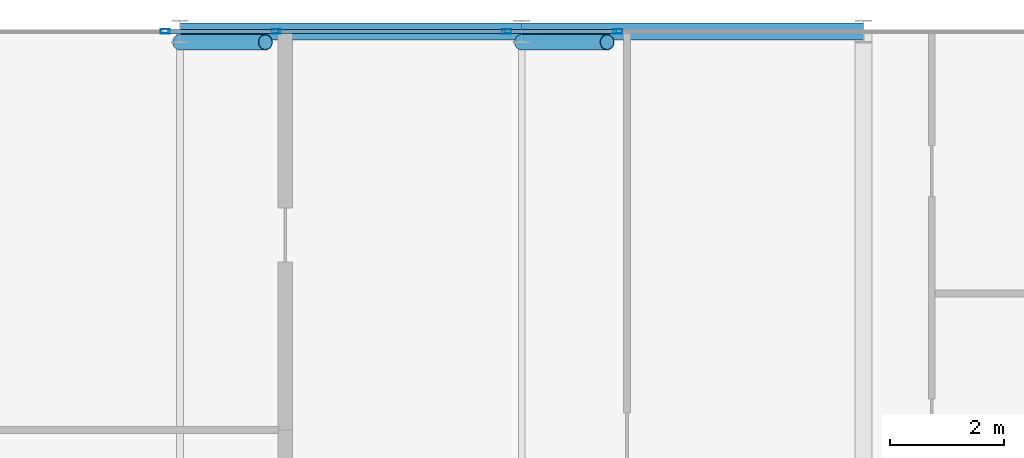
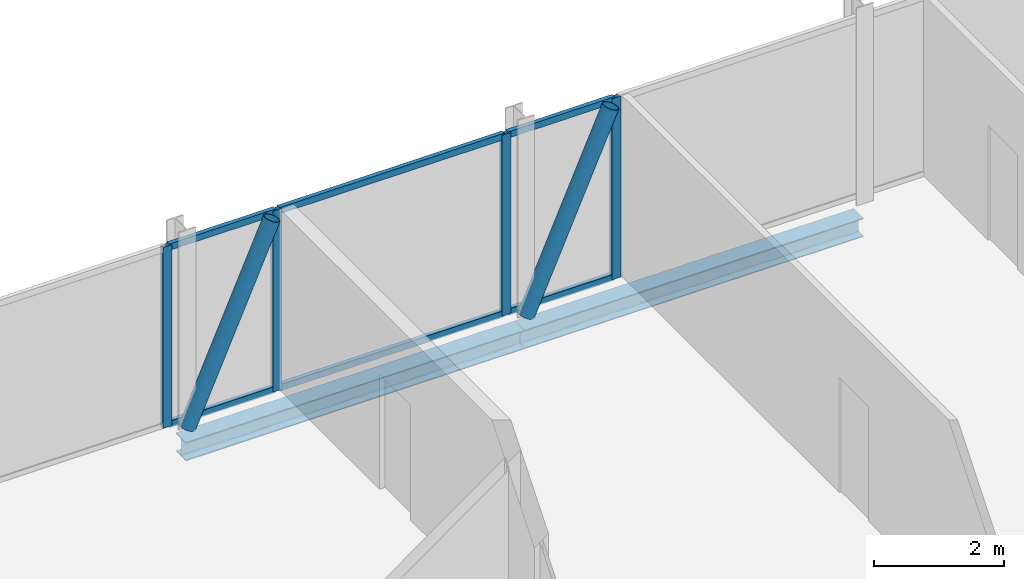
# One storey, part 17 of 27: 12 members, 2 beams, 4 elements without a shape of their own.
"""IFC4 building model written with IfcOpenShell, lengths in metres."""

from ifc_helpers import new_model, si_unit, direction, frame, origin, origin_2d, place, context, subcontext, project, spatial, hollow_rectangle, hollow_circle, i_section, extrude, material, layer, layer_set, material_profile, profile_set, type_object, element, aggregate, save


model = new_model("IFC4")

# Units and contexts
model_context = context("Model", 3, precision=1e-05, world=origin(), true_north=direction((0.0, 1.0)))
body_context = subcontext(model_context, "Body", "Model", "MODEL_VIEW")
ifc_project = project(units=[si_unit("LENGTHUNIT", "METRE"), si_unit("AREAUNIT", "SQUARE_METRE"), si_unit("VOLUMEUNIT", "CUBIC_METRE"), si_unit("PLANEANGLEUNIT", "RADIAN"), si_unit("MASSUNIT", "GRAM", prefix="KILO")], contexts=[model_context])

# Site, building, storey
site_placement = place(None, origin())
site = spatial("IfcSite", under=ifc_project, at=site_placement, CompositionType="ELEMENT")
building_placement = place(site_placement, origin())
building = spatial("IfcBuilding", under=site, at=building_placement, Name="Keshet Zoharim Tower", CompositionType="ELEMENT")
storey_placement = place(building_placement, frame((0.0, 0.0, 254.699951171875)))
storey = spatial("IfcBuildingStorey", under=building, at=storey_placement, Name="L63", CompositionType="ELEMENT", Elevation=254.699951171875)

# Beams
ifc_material_1 = material(Name="Steel S355", Category="steel")
ifc_material_profile_1 = material_profile(ifc_material_1, i_section(OverallWidth=0.300048828125, OverallDepth=0.35009765625, WebThickness=0.010009765625, FlangeThickness=0.017578125, FilletRadius=0.027099609375, at=origin_2d()), Name="HEA360")
ifc_profile_set_1 = profile_set([ifc_material_profile_1], Name="Steel S355")
beam_type = type_object("IfcBeamType", Name="BM-PRI-HA360", PredefinedType="BEAM", material=ifc_profile_set_1)
for number, where, z_axis, x_axis, name in (
    (1, (21.0, 53.89990234375, -0.48486328125), (1.0, 0.0, 0.0), (0.0, 1.0, 0.0), "L63 Primary Girder X-010"),
    (2, (27.0, 53.89990234375, -0.48486328125), (1.0, 0.0, 0.0), (0.0, 1.0, 0.0), "L63 Primary Girder X-011"),
):
    element("IfcBeam", number, at=place(storey_placement, frame(where, z_axis=z_axis, x_axis=x_axis)), inside=storey, type_object=beam_type, Name=name, PredefinedType="BEAM", context=body_context, shape_type="SweptSolid", body=[
        extrude(i_section(OverallWidth=0.300048828125, OverallDepth=0.35009765625, WebThickness=0.010009765625, FlangeThickness=0.017578125, FilletRadius=0.027099609375, at=origin_2d()), origin(), (0.0, 0.0, 1.0), 6.0),
    ])

# Curtain wall, member
ifc_material_2 = material(Name="Aluminium 6063-T6", Category="aluminium")
ifc_layer = layer(ifc_material_2, 0.260009765625)
ifc_layer_set = layer_set([ifc_layer], Name="Aluminium 6063-T6")
curtain_wall_type = type_object("IfcCurtainWallType", Name="CW-SYS-06", PredefinedType="NOTDEFINED", material=ifc_layer_set)
curtain_wall_1_placement = place(storey_placement, origin())
curtain_wall_1 = element("IfcCurtainWall", 3, at=curtain_wall_1_placement, inside=storey, type_object=curtain_wall_type, Name="L63 Unitised Curtain Wall 06", PredefinedType="NOTDEFINED")
ifc_material_profile_2 = material_profile(ifc_material_2, hollow_rectangle(XDim=0.074951171875, YDim=0.159912109375, WallThickness=0.00390625, at=origin_2d()), Name="MUL-75x160")
ifc_profile_set_2 = profile_set([ifc_material_profile_2], Name="Aluminium 6063-T6")
member_type_1 = type_object("IfcMemberType", Name="CWM-M15", PredefinedType="MULLION", material=ifc_profile_set_2)
member_1_placement = place(storey_placement, frame((20.740234375, 53.89990234375, 0.0), z_axis=(0.0, 0.0, 1.0), x_axis=(0.0, 1.0, 0.0)))
member_1 = element("IfcMember", 4, at=member_1_placement, type_object=member_type_1, Name="CW-06 mullion 2", PredefinedType="MULLION", context=body_context, shape_type="SweptSolid", body=[
    extrude(hollow_rectangle(XDim=0.074951171875, YDim=0.159912109375, WallThickness=0.00390625, at=origin_2d()), origin(), (0.0, 0.0, 1.0), 3.39013671875),
])
aggregate(curtain_wall_1, [member_1])

curtain_wall_2_placement = place(storey_placement, origin())
curtain_wall_2 = element("IfcCurtainWall", 5, at=curtain_wall_2_placement, inside=storey, type_object=curtain_wall_type, Name="L63 Unitised Curtain Wall 06 Part 2", PredefinedType="NOTDEFINED")
member_2_placement = place(storey_placement, frame((22.689697265625, 53.89990234375, 0.0), z_axis=(0.0, 0.0, 1.0), x_axis=(0.0, 1.0, 0.0)))
member_2 = element("IfcMember", 6, at=member_2_placement, type_object=member_type_1, Name="CW-06 mullion 2", PredefinedType="MULLION", context=body_context, shape_type="SweptSolid", body=[
    extrude(hollow_rectangle(XDim=0.074951171875, YDim=0.159912109375, WallThickness=0.00390625, at=origin_2d()), origin(), (0.0, 0.0, 1.0), 3.39013671875),
])

curtain_wall_3_placement = place(storey_placement, origin())
curtain_wall_3 = element("IfcCurtainWall", 7, at=curtain_wall_3_placement, inside=storey, type_object=curtain_wall_type, Name="L63 Unitised Curtain Wall 06 Part 3", PredefinedType="NOTDEFINED")
member_3_placement = place(storey_placement, frame((26.740234375, 53.89990234375, 0.0), z_axis=(0.0, 0.0, 1.0), x_axis=(0.0, 1.0, 0.0)))
member_3 = element("IfcMember", 8, at=member_3_placement, type_object=member_type_1, Name="CW-06 mullion 2", PredefinedType="MULLION", context=body_context, shape_type="SweptSolid", body=[
    extrude(hollow_rectangle(XDim=0.074951171875, YDim=0.159912109375, WallThickness=0.00390625, at=origin_2d()), origin(), (0.0, 0.0, 1.0), 3.39013671875),
])

curtain_wall_4_placement = place(storey_placement, origin())
curtain_wall_4 = element("IfcCurtainWall", 9, at=curtain_wall_4_placement, inside=storey, type_object=curtain_wall_type, Name="L63 Unitised Curtain Wall 06 Part 4", PredefinedType="NOTDEFINED")
member_4_placement = place(storey_placement, frame((28.689697265625, 53.89990234375, 0.0), z_axis=(0.0, 0.0, 1.0), x_axis=(0.0, 1.0, 0.0)))
member_4 = element("IfcMember", 10, at=member_4_placement, type_object=member_type_1, Name="CW-06 mullion 2", PredefinedType="MULLION", context=body_context, shape_type="SweptSolid", body=[
    extrude(hollow_rectangle(XDim=0.074951171875, YDim=0.159912109375, WallThickness=0.00390625, at=origin_2d()), origin(), (0.0, 0.0, 1.0), 3.39013671875),
])

# Member
ifc_material_profile_3 = material_profile(ifc_material_2, hollow_rectangle(XDim=0.074951171875, YDim=0.1201171875, WallThickness=0.00390625, at=origin_2d()), Name="TRN-75x120")
ifc_profile_set_3 = profile_set([ifc_material_profile_3], Name="Aluminium 6063-T6")
member_type_2 = type_object("IfcMemberType", Name="CWT-T12", PredefinedType="USERDEFINED", material=ifc_profile_set_3)
member_5_placement = place(storey_placement, frame((20.775146484375, 53.89990234375, 0.03515625), z_axis=(1.0, 0.0, 0.0), x_axis=(0.0, 1.0, 0.0)))
member_5 = element("IfcMember", 11, at=member_5_placement, type_object=member_type_2, Name="CW-06 transom 1.1", ObjectType="TRANSOM", PredefinedType="USERDEFINED", context=body_context, shape_type="SweptSolid", body=[
    extrude(hollow_rectangle(XDim=0.074951171875, YDim=0.1201171875, WallThickness=0.00390625, at=origin_2d()), origin(), (0.0, 0.0, 1.0), 1.879638671875),
])

member_6_placement = place(storey_placement, frame((20.775146484375, 53.89990234375, 3.35498046875), z_axis=(1.0, 0.0, 0.0), x_axis=(0.0, 1.0, 0.0)))
member_6 = element("IfcMember", 12, at=member_6_placement, type_object=member_type_2, Name="CW-06 transom 1.2", ObjectType="TRANSOM", PredefinedType="USERDEFINED", context=body_context, shape_type="SweptSolid", body=[
    extrude(hollow_rectangle(XDim=0.074951171875, YDim=0.1201171875, WallThickness=0.00390625, at=origin_2d()), origin(), (0.0, 0.0, 1.0), 1.879638671875),
])

aggregate(curtain_wall_2, [member_2, member_5, member_6])

member_7_placement = place(storey_placement, frame((22.724853515625, 53.89990234375, 0.03515625), z_axis=(1.0, 0.0, 0.0), x_axis=(0.0, 1.0, 0.0)))
member_7 = element("IfcMember", 13, at=member_7_placement, type_object=member_type_2, Name="CW-06 transom 1.1", ObjectType="TRANSOM", PredefinedType="USERDEFINED", context=body_context, shape_type="SweptSolid", body=[
    extrude(hollow_rectangle(XDim=0.074951171875, YDim=0.1201171875, WallThickness=0.00390625, at=origin_2d()), origin(), (0.0, 0.0, 1.0), 3.980224609375),
])

member_8_placement = place(storey_placement, frame((22.724853515625, 53.89990234375, 3.35498046875), z_axis=(1.0, 0.0, 0.0), x_axis=(0.0, 1.0, 0.0)))
member_8 = element("IfcMember", 14, at=member_8_placement, type_object=member_type_2, Name="CW-06 transom 1.2", ObjectType="TRANSOM", PredefinedType="USERDEFINED", context=body_context, shape_type="SweptSolid", body=[
    extrude(hollow_rectangle(XDim=0.074951171875, YDim=0.1201171875, WallThickness=0.00390625, at=origin_2d()), origin(), (0.0, 0.0, 1.0), 3.980224609375),
])

aggregate(curtain_wall_3, [member_3, member_7, member_8])

member_9_placement = place(storey_placement, frame((26.775146484375, 53.89990234375, 0.03515625), z_axis=(1.0, 0.0, 0.0), x_axis=(0.0, 1.0, 0.0)))
member_9 = element("IfcMember", 15, at=member_9_placement, type_object=member_type_2, Name="CW-06 transom 1.1", ObjectType="TRANSOM", PredefinedType="USERDEFINED", context=body_context, shape_type="SweptSolid", body=[
    extrude(hollow_rectangle(XDim=0.074951171875, YDim=0.1201171875, WallThickness=0.00390625, at=origin_2d()), origin(), (0.0, 0.0, 1.0), 1.879638671875),
])

member_10_placement = place(storey_placement, frame((26.775146484375, 53.89990234375, 3.35498046875), z_axis=(1.0, 0.0, 0.0), x_axis=(0.0, 1.0, 0.0)))
member_10 = element("IfcMember", 16, at=member_10_placement, type_object=member_type_2, Name="CW-06 transom 1.2", ObjectType="TRANSOM", PredefinedType="USERDEFINED", context=body_context, shape_type="SweptSolid", body=[
    extrude(hollow_rectangle(XDim=0.074951171875, YDim=0.1201171875, WallThickness=0.00390625, at=origin_2d()), origin(), (0.0, 0.0, 1.0), 1.879638671875),
])

aggregate(curtain_wall_4, [member_4, member_9, member_10])

# Members
ifc_material_profile_4 = material_profile(ifc_material_1, hollow_circle(Radius=0.136474609375, WallThickness=0.010009765625, at=origin_2d()), Name="CHS273x10")
ifc_profile_set_4 = profile_set([ifc_material_profile_4], Name="Steel S355")
member_type_3 = type_object("IfcMemberType", Name="MB-BR-C273", PredefinedType="BRACE", material=ifc_profile_set_4)
for number, where, z_axis, x_axis, name in (
    (17, (21.0, 53.7099609375, 0.0), (0.404622528463, 0.0, 0.914483793984), (0.0, 1.0, 0.0), "L63 Perimeter Tube Brace 03"),
    (18, (27.0, 53.7099609375, 0.0), (0.404622528463, 0.0, 0.914483793984), (0.0, 1.0, 0.0), "L63 Perimeter Tube Brace 04"),
):
    element("IfcMember", number, at=place(storey_placement, frame(where, z_axis=z_axis, x_axis=x_axis)), inside=storey, type_object=member_type_3, Name=name, PredefinedType="BRACE", context=body_context, shape_type="SweptSolid", body=[
        extrude(hollow_circle(Radius=0.136474609375, WallThickness=0.010009765625, at=origin_2d()), origin(), (0.0, 0.0, 1.0), 3.707275390625),
    ])

save(model, "model.ifc")
